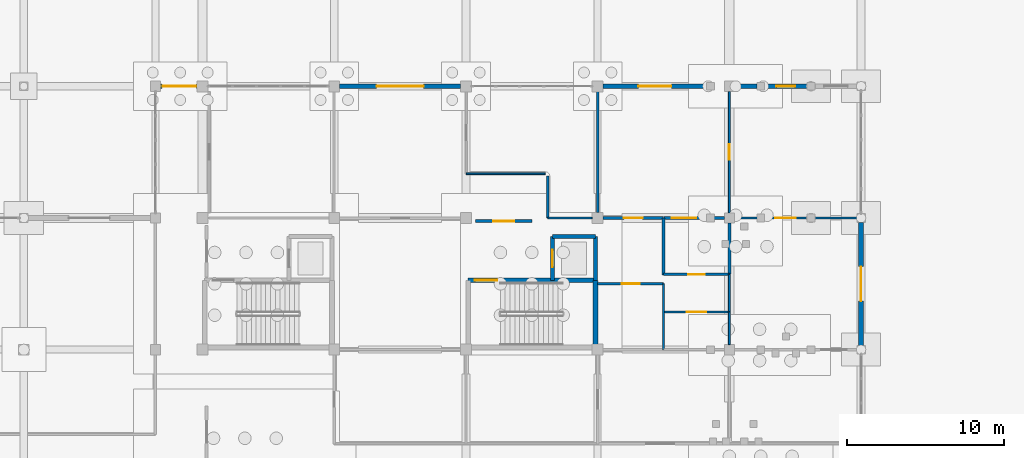
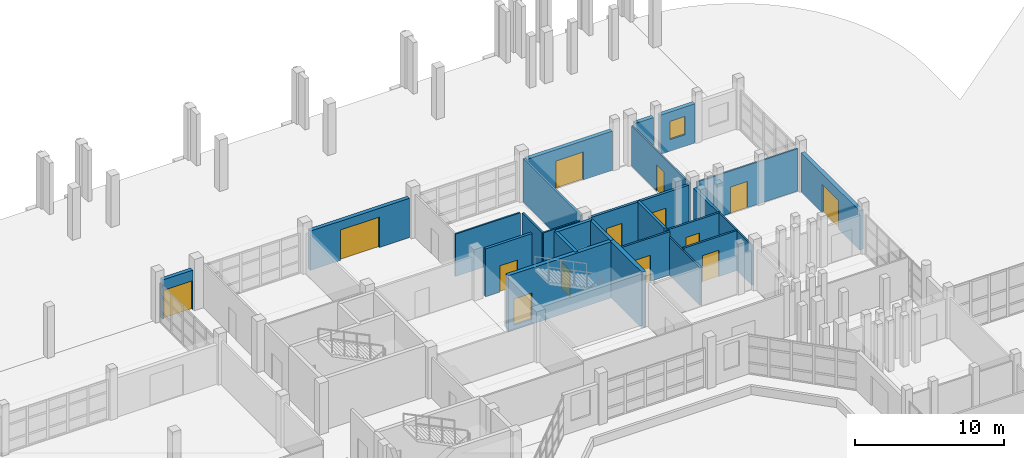
# One storey, part 64 of 88: 28 walls, 14 doors, 1 window, 15 openings.
"""IFC4 building model written with IfcOpenShell, lengths in metres."""

from ifc_helpers import new_model, si_unit, direction, frame, frame_2d, origin, place, context, subcontext, project, spatial, rectangle, extrude, material, layer, layer_set, type_object, element, fill, save


model = new_model("IFC4")

# Units and contexts
model_context = context("Model", 3, precision=1e-05, world=origin(), true_north=direction((0.0, 1.0)))
body_context = subcontext(model_context, "Body", "Model", "MODEL_VIEW")
ifc_project = project(units=[si_unit("LENGTHUNIT", "METRE"), si_unit("AREAUNIT", "SQUARE_METRE"), si_unit("VOLUMEUNIT", "CUBIC_METRE"), si_unit("PLANEANGLEUNIT", "RADIAN"), si_unit("MASSUNIT", "GRAM", prefix="KILO")], contexts=[model_context])

# Site, building, storey
site_placement = place(None, origin())
site = spatial("IfcSite", under=ifc_project, at=site_placement, CompositionType="ELEMENT")
building_placement = place(site_placement, origin())
building = spatial("IfcBuilding", under=site, at=building_placement, Name="Vanh Quang Courtyard School", CompositionType="ELEMENT")
storey_placement = place(building_placement, origin())
storey = spatial("IfcBuildingStorey", under=building, at=storey_placement, Name="L00", CompositionType="ELEMENT", Elevation=0.0)

# Wall, opening, door
ifc_material_1 = material(Name="Concrete C30/37", Category="concrete")
ifc_layer_1 = layer(ifc_material_1, 0.199951171875)
ifc_layer_set_1 = layer_set([ifc_layer_1], Name="Concrete C30/37")
wall_type_1 = type_object("IfcWallType", Name="W-COMP-200", PredefinedType="PARTITIONING", material=ifc_layer_set_1)
wall_1_placement = place(storey_placement, frame((98.39990234375, 88.0, 0.0), z_axis=(0.0, 0.0, 1.0), x_axis=(-1.0, 0.0, 0.0)))
wall_1 = element("IfcWall", 1, at=wall_1_placement, inside=storey, type_object=wall_type_1, Name="Wall W-COMP1 (L00)", PredefinedType="PARTITIONING", context=body_context, shape_type="SweptSolid", body=[
    extrude(rectangle(XDim=3.599853515625, YDim=0.199951171875, at=frame_2d((1.7998046875, 0.0))), origin(), (0.0, 0.0, 1.0), 3.919921875),
])
opening_1_placement = place(wall_1_placement, frame((1.125, 0.0, 0.0)))
opening_1 = element("IfcOpeningElement", 2, at=opening_1_placement, cuts=wall_1, Name="Opening L00-DLB2", PredefinedType="OPENING", context=body_context, shape_type="SweptSolid", body=[
    extrude(rectangle(XDim=1.35009765625, YDim=2.14990234375, at=frame_2d((0.675048828125, 1.074951171875))), frame((0.0, 0.10986328125, 0.0), z_axis=(0.0, -1.0, 0.0), x_axis=(1.0, 0.0, 0.0)), (0.0, 0.0, 1.0), 0.219970703125),
])
ifc_material_2 = material(Name="Painted galvanised steel fire door", Category="steel")
door_type_1 = type_object("IfcDoorType", Name="IDR-ST-1350x2150", OperationType="NOTDEFINED", PredefinedType="DOOR", material=ifc_material_2)
door_1_placement = place(opening_1_placement, origin())
door_1 = element("IfcDoor", 3, at=door_1_placement, inside=storey, type_object=door_type_1, Name="Door L00-DLB2 (L00)", OperationType="SINGLE_SWING_RIGHT", OverallHeight=2.14990234375, OverallWidth=1.35009765625, PredefinedType="DOOR", context=body_context, shape_type="SweptSolid", body=[
    extrude(rectangle(XDim=1.35009765625, YDim=2.14990234375, at=frame_2d((0.675048828125, 1.074951171875))), frame((0.0, 0.02490234375, 0.0), z_axis=(0.0, -1.0, 0.0), x_axis=(1.0, 0.0, 0.0)), (0.0, 0.0, 1.0), 0.050048828125),
])
fill(opening_1, door_1)

wall_2_placement = place(storey_placement, frame((102.947998046875, 88.199951171875, 0.0), z_axis=(0.0, 0.0, 1.0), x_axis=(1.0, 0.0, 0.0)))
wall_2 = element("IfcWall", 4, at=wall_2_placement, inside=storey, type_object=wall_type_1, Name="Wall W-COMP1 (L00)", PredefinedType="PARTITIONING", context=body_context, shape_type="SweptSolid", body=[
    extrude(rectangle(XDim=3.85205078125, YDim=0.199951171875, at=frame_2d((1.926025390625, 0.0))), origin(), (0.0, 0.0, 1.0), 3.469970703125),
])
opening_2_placement = place(wall_2_placement, frame((1.325927734375, 0.0, 0.0)))
opening_2 = element("IfcOpeningElement", 5, at=opening_2_placement, cuts=wall_2, Name="Opening L00-D004", PredefinedType="OPENING", context=body_context, shape_type="SweptSolid", body=[
    extrude(rectangle(XDim=1.199951171875, YDim=2.14990234375, at=frame_2d((0.60009765625, 1.074951171875))), frame((0.0, 0.10986328125, 0.0), z_axis=(0.0, -1.0, 0.0), x_axis=(1.0, 0.0, 0.0)), (0.0, 0.0, 1.0), 0.219970703125),
])
door_type_2 = type_object("IfcDoorType", Name="IDR-FD-1200x2150", OperationType="NOTDEFINED", PredefinedType="DOOR", material=ifc_material_2)
door_2_placement = place(opening_2_placement, origin())
door_2 = element("IfcDoor", 6, at=door_2_placement, inside=storey, type_object=door_type_2, Name="Door L00-D004 (L00)", OperationType="SINGLE_SWING_LEFT", OverallHeight=2.14990234375, OverallWidth=1.199951171875, PredefinedType="DOOR", context=body_context, shape_type="SweptSolid", body=[
    extrude(rectangle(XDim=1.199951171875, YDim=2.14990234375, at=frame_2d((0.60009765625, 1.074951171875))), frame((0.0, 0.02490234375, 0.0), z_axis=(0.0, -1.0, 0.0), x_axis=(1.0, 0.0, 0.0)), (0.0, 0.0, 1.0), 0.050048828125),
])
fill(opening_2, door_2)

# Wall
wall_3_placement = place(storey_placement, frame((106.800048828125, 88.199951171875, 0.0), z_axis=(0.0, 0.0, 1.0), x_axis=(0.0, -1.0, 0.0)))
element("IfcWall", 7, at=wall_3_placement, inside=storey, type_object=wall_type_1, Name="Wall W-COMP1 (L00)", PredefinedType="PARTITIONING", context=body_context, shape_type="SweptSolid", body=[
    extrude(rectangle(XDim=3.646240234375, YDim=0.199951171875, at=frame_2d((1.8232421875, 0.0))), origin(), (0.0, 0.0, 1.0), 3.469970703125),
])

# Wall, opening, door
wall_4_placement = place(storey_placement, frame((106.820068359375, 88.199951171875, 0.0), z_axis=(0.0, 0.0, 1.0), x_axis=(1.0, 0.0, 0.0)))
wall_4 = element("IfcWall", 8, at=wall_4_placement, inside=storey, type_object=wall_type_1, Name="Wall W-COMP1 (L00)", PredefinedType="PARTITIONING", context=body_context, shape_type="SweptSolid", body=[
    extrude(rectangle(XDim=3.85693359375, YDim=0.199951171875, at=frame_2d((1.928466796875, 0.0))), origin(), (0.0, 0.0, 1.0), 3.469970703125),
])
opening_3_placement = place(wall_4_placement, frame((0.50341796875, 0.0, 0.0)))
opening_3 = element("IfcOpeningElement", 9, at=opening_3_placement, cuts=wall_4, Name="Opening L00-D005", PredefinedType="OPENING", context=body_context, shape_type="SweptSolid", body=[
    extrude(rectangle(XDim=1.550048828125, YDim=2.199951171875, at=frame_2d((0.77490234375, 1.10009765625))), frame((0.0, 0.10986328125, 0.0), z_axis=(0.0, -1.0, 0.0), x_axis=(1.0, 0.0, 0.0)), (0.0, 0.0, 1.0), 0.219970703125),
])
door_type_3 = type_object("IfcDoorType", Name="IDR-KIT-1550x2200", OperationType="NOTDEFINED", PredefinedType="DOOR", material=ifc_material_2)
door_3_placement = place(opening_3_placement, origin())
door_3 = element("IfcDoor", 10, at=door_3_placement, inside=storey, type_object=door_type_3, Name="Door L00-D005 (L00)", OperationType="DOUBLE_DOOR_SINGLE_SWING", OverallHeight=2.199951171875, OverallWidth=1.550048828125, PredefinedType="DOOR", context=body_context, shape_type="SweptSolid", body=[
    extrude(rectangle(XDim=1.550048828125, YDim=2.199951171875, at=frame_2d((0.77490234375, 1.10009765625))), frame((0.0, 0.02490234375, 0.0), z_axis=(0.0, -1.0, 0.0), x_axis=(1.0, 0.0, 0.0)), (0.0, 0.0, 1.0), 0.050048828125),
])
fill(opening_3, door_3)

# Walls
wall_5_placement = place(storey_placement, frame((111.0, 87.876953125, 0.0), z_axis=(0.0, 0.0, 1.0), x_axis=(0.0, -1.0, 0.0)))
element("IfcWall", 11, at=wall_5_placement, inside=storey, type_object=wall_type_1, Name="Wall W-COMP1 (L00)", PredefinedType="PARTITIONING", context=body_context, shape_type="SweptSolid", body=[
    extrude(rectangle(XDim=3.2568359375, YDim=0.199951171875, at=frame_2d((1.62841796875, 0.0))), origin(), (0.0, 0.0, 1.0), 3.27001953125),
])
ifc_material_3 = material(Name="Concrete C35/45", Category="concrete")
ifc_layer_2 = layer(ifc_material_3, 0.300048828125)
ifc_layer_set_2 = layer_set([ifc_layer_2], Name="Concrete C35/45")
wall_type_2 = type_object("IfcWallType", Name="W-CORE-300", PredefinedType="SHEAR", material=ifc_layer_set_2)
wall_6_placement = place(storey_placement, frame((102.4599609375, 79.93994140625, -0.39990234375), z_axis=(0.0, 0.0, 1.0), x_axis=(0.0, 1.0, 0.0)))
element("IfcWall", 12, at=wall_6_placement, inside=storey, type_object=wall_type_2, Name="Wall W-CORE1 (L00)", PredefinedType="SHEAR", context=body_context, shape_type="SweptSolid", body=[
    extrude(rectangle(XDim=4.280029296875, YDim=0.300048828125, at=frame_2d((2.14013671875, 0.0))), origin(), (0.0, 0.0, 1.0), 4.599853515625),
])

# Wall, opening, door
wall_7_placement = place(storey_placement, frame((102.4599609375, 84.219970703125, -0.39990234375), z_axis=(0.0, 0.0, 1.0), x_axis=(-1.0, 0.0, 0.0)))
wall_7 = element("IfcWall", 13, at=wall_7_placement, inside=storey, type_object=wall_type_2, Name="Wall W-CORE1 (L00)", PredefinedType="SHEAR", context=body_context, shape_type="SweptSolid", body=[
    extrude(rectangle(XDim=8.119873046875, YDim=0.300048828125, at=frame_2d((4.06005859375, 0.0))), origin(), (0.0, 0.0, 1.0), 4.599853515625),
])
opening_4_placement = place(wall_7_placement, frame((6.27001953125, 0.0, 0.39990234375)))
opening_4 = element("IfcOpeningElement", 14, at=opening_4_placement, cuts=wall_7, Name="Opening L00-DS2", PredefinedType="OPENING", context=body_context, shape_type="SweptSolid", body=[
    extrude(rectangle(XDim=1.419921875, YDim=2.14990234375, at=frame_2d((0.7099609375, 1.074951171875))), frame((0.0, 0.16015625, 0.0), z_axis=(0.0, -1.0, 0.0), x_axis=(1.0, 0.0, 0.0)), (0.0, 0.0, 1.0), 0.320068359375),
])
door_type_4 = type_object("IfcDoorType", Name="IDR-ST-1420x2150", OperationType="NOTDEFINED", PredefinedType="DOOR", material=ifc_material_2)
door_4_placement = place(opening_4_placement, origin())
door_4 = element("IfcDoor", 15, at=door_4_placement, inside=storey, type_object=door_type_4, Name="Door L00-DS2 (L00)", OperationType="SINGLE_SWING_LEFT", OverallHeight=2.14990234375, OverallWidth=1.419921875, PredefinedType="DOOR", context=body_context, shape_type="SweptSolid", body=[
    extrude(rectangle(XDim=1.419921875, YDim=2.14990234375, at=frame_2d((0.7099609375, 1.074951171875))), frame((0.0, 0.02490234375, 0.0), z_axis=(0.0, -1.0, 0.0), x_axis=(1.0, 0.0, 0.0)), (0.0, 0.0, 1.0), 0.050048828125),
])
fill(opening_4, door_4)

ifc_layer_3 = layer(ifc_material_3, 0.300048828125)
ifc_layer_set_3 = layer_set([ifc_layer_3], Name="Concrete C35/45")
wall_type_3 = type_object("IfcWallType", Name="W-EXT-300", PredefinedType="SOLIDWALL", material=ifc_layer_set_3)
wall_8_placement = place(storey_placement, frame((74.722900390625, 96.60009765625, 0.0), z_axis=(0.0, 0.0, 1.0), x_axis=(1.0, 0.0, 0.0)))
wall_8 = element("IfcWall", 16, at=wall_8_placement, inside=storey, type_object=wall_type_3, Name="Wall WE-01 (L00)", PredefinedType="SOLIDWALL", context=body_context, shape_type="SweptSolid", body=[
    extrude(rectangle(XDim=2.3291015625, YDim=0.300048828125, at=frame_2d((1.16455078125, 0.0))), origin(), (0.0, 0.0, 1.0), 3.219970703125),
])
opening_5_placement = place(wall_8_placement, frame((0.076904296875, 0.0, 0.0)))
opening_5 = element("IfcOpeningElement", 17, at=opening_5_placement, cuts=wall_8, Name="Opening L00-EXD1", PredefinedType="OPENING", context=body_context, shape_type="SweptSolid", body=[
    extrude(rectangle(XDim=2.199951171875, YDim=2.35009765625, at=frame_2d((1.10009765625, 1.175048828125))), frame((0.0, 0.16015625, 0.0), z_axis=(0.0, -1.0, 0.0), x_axis=(1.0, 0.0, 0.0)), (0.0, 0.0, 1.0), 0.320068359375),
])
ifc_material_4 = material(Name="Thermally broken aluminium and laminated safety glass", Category="aluminium")
door_type_5 = type_object("IfcDoorType", Name="EDR-TYP-12", OperationType="NOTDEFINED", PredefinedType="DOOR", material=ifc_material_4)
door_5_placement = place(opening_5_placement, origin())
door_5 = element("IfcDoor", 18, at=door_5_placement, inside=storey, type_object=door_type_5, Name="Door L00-EXD1 (L00)", OperationType="SINGLE_SWING_LEFT", OverallHeight=2.35009765625, OverallWidth=2.199951171875, PredefinedType="DOOR", context=body_context, shape_type="SweptSolid", body=[
    extrude(rectangle(XDim=2.199951171875, YDim=2.35009765625, at=frame_2d((1.10009765625, 1.175048828125))), frame((0.0, 0.02490234375, 0.0), z_axis=(0.0, -1.0, 0.0), x_axis=(1.0, 0.0, 0.0)), (0.0, 0.0, 1.0), 0.050048828125),
])
fill(opening_5, door_5)

wall_9_placement = place(storey_placement, frame((86.14794921875, 96.60009765625, 0.0), z_axis=(0.0, 0.0, 1.0), x_axis=(1.0, 0.0, 0.0)))
wall_9 = element("IfcWall", 19, at=wall_9_placement, inside=storey, type_object=wall_type_3, Name="Wall WE-01 (L00)", PredefinedType="SOLIDWALL", context=body_context, shape_type="SweptSolid", body=[
    extrude(rectangle(XDim=7.7041015625, YDim=0.300048828125, at=frame_2d((3.85205078125, 0.0))), origin(), (0.0, 0.0, 1.0), 3.219970703125),
])
opening_6_placement = place(wall_9_placement, frame((2.35205078125, 0.0, 0.0)))
opening_6 = element("IfcOpeningElement", 20, at=opening_6_placement, cuts=wall_9, Name="Opening L00-GT02", PredefinedType="OPENING", context=body_context, shape_type="SweptSolid", body=[
    extrude(rectangle(XDim=3.0, YDim=2.5, at=frame_2d((1.5, 1.25))), frame((0.0, 0.16015625, 0.0), z_axis=(0.0, -1.0, 0.0), x_axis=(1.0, 0.0, 0.0)), (0.0, 0.0, 1.0), 0.320068359375),
])
door_type_6 = type_object("IfcDoorType", Name="EDR-TYP-19", OperationType="NOTDEFINED", PredefinedType="GATE", material=ifc_material_4)
door_6_placement = place(opening_6_placement, origin())
door_6 = element("IfcDoor", 21, at=door_6_placement, inside=storey, type_object=door_type_6, Name="Door L00-GT02 (L00)", OperationType="DOUBLE_DOOR_SINGLE_SWING", OverallHeight=2.5, OverallWidth=3.0, PredefinedType="GATE", context=body_context, shape_type="SweptSolid", body=[
    extrude(rectangle(XDim=3.0, YDim=2.5, at=frame_2d((1.5, 1.25))), frame((0.0, 0.02490234375, 0.0), z_axis=(0.0, -1.0, 0.0), x_axis=(1.0, 0.0, 0.0)), (0.0, 0.0, 1.0), 0.050048828125),
])
fill(opening_6, door_6)

wall_10_placement = place(storey_placement, frame((102.947998046875, 96.60009765625, 0.0), z_axis=(0.0, 0.0, 1.0), x_axis=(1.0, 0.0, 0.0)))
wall_10 = element("IfcWall", 22, at=wall_10_placement, inside=storey, type_object=wall_type_3, Name="Wall WE-01 (L00)", PredefinedType="SOLIDWALL", context=body_context, shape_type="SweptSolid", body=[
    extrude(rectangle(XDim=6.60400390625, YDim=0.300048828125, at=frame_2d((3.302001953125, 0.0))), origin(), (0.0, 0.0, 1.0), 3.219970703125),
])
opening_7_placement = place(wall_10_placement, frame((2.251953125, 0.0, 0.0)))
opening_7 = element("IfcOpeningElement", 23, at=opening_7_placement, cuts=wall_10, Name="Opening L00-EX20", PredefinedType="OPENING", context=body_context, shape_type="SweptSolid", body=[
    extrude(rectangle(XDim=2.10009765625, YDim=2.300048828125, at=frame_2d((1.050048828125, 1.14990234375))), frame((0.0, 0.16015625, 0.0), z_axis=(0.0, -1.0, 0.0), x_axis=(1.0, 0.0, 0.0)), (0.0, 0.0, 1.0), 0.320068359375),
])
door_type_7 = type_object("IfcDoorType", Name="EDR-TYP-11", OperationType="NOTDEFINED", PredefinedType="DOOR", material=ifc_material_4)
door_7_placement = place(opening_7_placement, origin())
door_7 = element("IfcDoor", 24, at=door_7_placement, inside=storey, type_object=door_type_7, Name="Door L00-EX20 (L00)", OperationType="DOUBLE_DOOR_SINGLE_SWING", OverallHeight=2.300048828125, OverallWidth=2.10009765625, PredefinedType="DOOR", context=body_context, shape_type="SweptSolid", body=[
    extrude(rectangle(XDim=2.10009765625, YDim=2.300048828125, at=frame_2d((1.050048828125, 1.14990234375))), frame((0.0, 0.02490234375, 0.0), z_axis=(0.0, -1.0, 0.0), x_axis=(1.0, 0.0, 0.0)), (0.0, 0.0, 1.0), 0.050048828125),
])
fill(opening_7, door_7)

# Wall
wall_11_placement = place(storey_placement, frame((111.322998046875, 96.60009765625, 0.0), z_axis=(0.0, 0.0, 1.0), x_axis=(1.0, 0.0, 0.0)))
element("IfcWall", 25, at=wall_11_placement, inside=storey, type_object=wall_type_3, Name="Wall WE-01 (L00)", PredefinedType="SOLIDWALL", context=body_context, shape_type="SweptSolid", body=[
    extrude(rectangle(XDim=1.428955078125, YDim=0.300048828125, at=frame_2d((0.71435546875, 0.0))), origin(), (0.0, 0.0, 1.0), 3.219970703125),
])

# Wall, opening, window
wall_12_placement = place(storey_placement, frame((113.248046875, 96.60009765625, 0.0), z_axis=(0.0, 0.0, 1.0), x_axis=(1.0, 0.0, 0.0)))
wall_12 = element("IfcWall", 26, at=wall_12_placement, inside=storey, type_object=wall_type_3, Name="Wall WE-01 (L00)", PredefinedType="SOLIDWALL", context=body_context, shape_type="SweptSolid", body=[
    extrude(rectangle(XDim=2.703857421875, YDim=0.300048828125, at=frame_2d((1.35205078125, 0.0))), origin(), (0.0, 0.0, 1.0), 3.219970703125),
])
opening_8_placement = place(wall_12_placement, frame((0.751953125, 0.0, 0.949951171875)))
opening_8 = element("IfcOpeningElement", 27, at=opening_8_placement, cuts=wall_12, Name="Opening WN-10", PredefinedType="OPENING", context=body_context, shape_type="SweptSolid", body=[
    extrude(rectangle(XDim=1.199951171875, YDim=1.5, at=frame_2d((0.60009765625, 0.75))), frame((0.0, 0.16015625, 0.0), z_axis=(0.0, -1.0, 0.0), x_axis=(1.0, 0.0, 0.0)), (0.0, 0.0, 1.0), 0.320068359375),
])
ifc_material_5 = material(Name="Anodised aluminium and low-E double glazing", Category="aluminium")
window_type = type_object("IfcWindowType", Name="WIN-TYP-10", PartitioningType="SINGLE_PANEL", PredefinedType="WINDOW", material=ifc_material_5)
window_placement = place(opening_8_placement, origin())
window = element("IfcWindow", 28, at=window_placement, inside=storey, type_object=window_type, Name="Window WN-10 (L00)", OverallHeight=1.5, OverallWidth=1.199951171875, PartitioningType="SINGLE_PANEL", PredefinedType="WINDOW", context=body_context, shape_type="SweptSolid", body=[
    extrude(rectangle(XDim=1.199951171875, YDim=1.5, at=frame_2d((0.60009765625, 0.75))), frame((0.0, 0.030029296875, 0.0), z_axis=(0.0, -1.0, 0.0), x_axis=(1.0, 0.0, 0.0)), (0.0, 0.0, 1.0), 0.06005859375),
])
fill(opening_8, window)

# Wall, opening, door
wall_13_placement = place(storey_placement, frame((119.39990234375, 87.927001953125, 0.0), z_axis=(0.0, 0.0, 1.0), x_axis=(0.0, -1.0, 0.0)))
wall_13 = element("IfcWall", 29, at=wall_13_placement, inside=storey, type_object=wall_type_3, Name="Wall WE-01 (L00)", PredefinedType="SOLIDWALL", context=body_context, shape_type="SweptSolid", body=[
    extrude(rectangle(XDim=7.85400390625, YDim=0.300048828125, at=frame_2d((3.927001953125, 0.0))), origin(), (0.0, 0.0, 1.0), 3.219970703125),
])
opening_9_placement = place(wall_13_placement, frame((2.826904296875, 0.0, 0.0)))
opening_9 = element("IfcOpeningElement", 30, at=opening_9_placement, cuts=wall_13, Name="Opening L00-EX21", PredefinedType="OPENING", context=body_context, shape_type="SweptSolid", body=[
    extrude(rectangle(XDim=2.199951171875, YDim=2.35009765625, at=frame_2d((1.10009765625, 1.175048828125))), frame((0.0, 0.16015625, 0.0), z_axis=(0.0, -1.0, 0.0), x_axis=(1.0, 0.0, 0.0)), (0.0, 0.0, 1.0), 0.320068359375),
])
door_8_placement = place(opening_9_placement, origin())
door_8 = element("IfcDoor", 31, at=door_8_placement, inside=storey, type_object=door_type_5, Name="Door L00-EX21 (L00)", OperationType="DOUBLE_DOOR_SINGLE_SWING", OverallHeight=2.35009765625, OverallWidth=2.199951171875, PredefinedType="DOOR", context=body_context, shape_type="SweptSolid", body=[
    extrude(rectangle(XDim=2.199951171875, YDim=2.35009765625, at=frame_2d((1.10009765625, 1.175048828125))), frame((0.0, 0.02490234375, 0.0), z_axis=(0.0, -1.0, 0.0), x_axis=(1.0, 0.0, 0.0)), (0.0, 0.0, 1.0), 0.050048828125),
])
fill(opening_9, door_8)

# Walls
ifc_material_6 = material(Name="Acoustic gypsum stud partition", Category="gypsum")
ifc_layer_4 = layer(ifc_material_6, 0.1201171875)
ifc_layer_set_4 = layer_set([ifc_layer_4], Name="Acoustic gypsum stud partition")
wall_type_4 = type_object("IfcWallType", Name="W-PART-120", PredefinedType="PARTITIONING", material=ifc_layer_set_4)
wall_14_placement = place(storey_placement, frame((106.800048828125, 84.0, 0.0), z_axis=(0.0, 0.0, 1.0), x_axis=(0.0, -1.0, 0.0)))
element("IfcWall", 32, at=wall_14_placement, inside=storey, type_object=wall_type_4, Name="Wall W-PRT2 (L00)", PredefinedType="PARTITIONING", context=body_context, shape_type="SweptSolid", body=[
    extrude(rectangle(XDim=4.199951171875, YDim=0.1201171875, at=frame_2d((2.10009765625, 0.0))), origin(), (0.0, 0.0, 1.0), 3.1201171875),
])
wall_15_placement = place(storey_placement, frame((111.0, 82.199951171875, 0.0), z_axis=(0.0, 0.0, 1.0), x_axis=(0.0, -1.0, 0.0)))
element("IfcWall", 33, at=wall_15_placement, inside=storey, type_object=wall_type_4, Name="Wall W-PRT2 (L00)", PredefinedType="PARTITIONING", context=body_context, shape_type="SweptSolid", body=[
    extrude(rectangle(XDim=2.076904296875, YDim=0.1201171875, at=frame_2d((1.03857421875, 0.0))), origin(), (0.0, 0.0, 1.0), 3.27001953125),
])
wall_16_placement = place(storey_placement, frame((111.0, 84.60009765625, 0.0), z_axis=(0.0, 0.0, 1.0), x_axis=(0.0, -1.0, 0.0)))
element("IfcWall", 34, at=wall_16_placement, inside=storey, type_object=wall_type_4, Name="Wall W-PRT2 (L00)", PredefinedType="PARTITIONING", context=body_context, shape_type="SweptSolid", body=[
    extrude(rectangle(XDim=2.380126953125, YDim=0.1201171875, at=frame_2d((1.18994140625, 0.0))), origin(), (0.0, 0.0, 1.0), 3.27001953125),
])
wall_17_placement = place(storey_placement, frame((102.251953125, 88.199951171875, 0.0), z_axis=(0.0, 0.0, 1.0), x_axis=(-1.0, 0.0, 0.0)))
element("IfcWall", 35, at=wall_17_placement, inside=storey, type_object=wall_type_4, Name="Wall W-PRT2 (L00)", PredefinedType="PARTITIONING", context=body_context, shape_type="SweptSolid", body=[
    extrude(rectangle(XDim=2.83203125, YDim=0.1201171875, at=frame_2d((1.416015625, 0.0))), origin(), (0.0, 0.0, 1.0), 3.469970703125),
])
wall_18_placement = place(storey_placement, frame((99.248779296875, 91.02001953125, 0.0), z_axis=(0.0, 0.0, 1.0), x_axis=(-1.0, 0.0, 0.0)))
element("IfcWall", 36, at=wall_18_placement, inside=storey, type_object=wall_type_4, Name="Wall W-PRT2 (L00)", PredefinedType="PARTITIONING", context=body_context, shape_type="SweptSolid", body=[
    extrude(rectangle(XDim=5.02880859375, YDim=0.1201171875, at=frame_2d((2.514404296875, 0.0))), origin(), (0.0, 0.0, 1.0), 3.469970703125),
])

# Wall, opening, door
wall_19_placement = place(storey_placement, frame((111.0, 96.277099609375, 0.0), z_axis=(0.0, 0.0, 1.0), x_axis=(0.0, -1.0, 0.0)))
wall_19 = element("IfcWall", 37, at=wall_19_placement, inside=storey, type_object=wall_type_4, Name="Wall W-PRT2 (L00)", PredefinedType="PARTITIONING", context=body_context, shape_type="SweptSolid", body=[
    extrude(rectangle(XDim=7.754150390625, YDim=0.1201171875, at=frame_2d((3.876953125, 0.0))), origin(), (0.0, 0.0, 1.0), 3.27001953125),
])
opening_10_placement = place(wall_19_placement, frame((3.376953125, 0.0, 0.0)))
opening_10 = element("IfcOpeningElement", 38, at=opening_10_placement, cuts=wall_19, Name="Opening L00-D038", PredefinedType="OPENING", context=body_context, shape_type="SweptSolid", body=[
    extrude(rectangle(XDim=1.0, YDim=2.10009765625, at=frame_2d((0.5, 1.050048828125))), frame((0.0, 0.070068359375, 0.0), z_axis=(0.0, -1.0, 0.0), x_axis=(1.0, 0.0, 0.0)), (0.0, 0.0, 1.0), 0.14013671875),
])
ifc_material_7 = material(Name="Solid-core hardwood acoustic door", Category="wood")
door_type_8 = type_object("IfcDoorType", Name="IDR-CLS-1000x2100", OperationType="NOTDEFINED", PredefinedType="DOOR", material=ifc_material_7)
door_9_placement = place(opening_10_placement, origin())
door_9 = element("IfcDoor", 39, at=door_9_placement, inside=storey, type_object=door_type_8, Name="Door L00-D038 (L00)", OperationType="SINGLE_SWING_LEFT", OverallHeight=2.10009765625, OverallWidth=1.0, PredefinedType="DOOR", context=body_context, shape_type="SweptSolid", body=[
    extrude(rectangle(XDim=1.0, YDim=2.10009765625, at=frame_2d((0.5, 1.050048828125))), frame((0.0, 0.02490234375, 0.0), z_axis=(0.0, -1.0, 0.0), x_axis=(1.0, 0.0, 0.0)), (0.0, 0.0, 1.0), 0.050048828125),
])
fill(opening_10, door_9)

wall_20_placement = place(storey_placement, frame((111.322998046875, 88.199951171875, 0.0), z_axis=(0.0, 0.0, 1.0), x_axis=(1.0, 0.0, 0.0)))
wall_20 = element("IfcWall", 40, at=wall_20_placement, inside=storey, type_object=wall_type_4, Name="Wall W-PRT2 (L00)", PredefinedType="PARTITIONING", context=body_context, shape_type="SweptSolid", body=[
    extrude(rectangle(XDim=7.803955078125, YDim=0.1201171875, at=frame_2d((3.90185546875, 0.0))), origin(), (0.0, 0.0, 1.0), 3.469970703125),
])
opening_11_placement = place(wall_20_placement, frame((2.60205078125, 0.0, 0.0)))
opening_11 = element("IfcOpeningElement", 41, at=opening_11_placement, cuts=wall_20, Name="Opening L00-D047", PredefinedType="OPENING", context=body_context, shape_type="SweptSolid", body=[
    extrude(rectangle(XDim=1.300048828125, YDim=2.14990234375, at=frame_2d((0.64990234375, 1.074951171875))), frame((0.0, 0.070068359375, 0.0), z_axis=(0.0, -1.0, 0.0), x_axis=(1.0, 0.0, 0.0)), (0.0, 0.0, 1.0), 0.14013671875),
])
door_type_9 = type_object("IfcDoorType", Name="IDR-STU-1300x2150", OperationType="NOTDEFINED", PredefinedType="DOOR", material=ifc_material_7)
door_10_placement = place(opening_11_placement, origin())
door_10 = element("IfcDoor", 42, at=door_10_placement, inside=storey, type_object=door_type_9, Name="Door L00-D047 (L00)", OperationType="SINGLE_SWING_RIGHT", OverallHeight=2.14990234375, OverallWidth=1.300048828125, PredefinedType="DOOR", context=body_context, shape_type="SweptSolid", body=[
    extrude(rectangle(XDim=1.300048828125, YDim=2.14990234375, at=frame_2d((0.64990234375, 1.074951171875))), frame((0.0, 0.02490234375, 0.0), z_axis=(0.0, -1.0, 0.0), x_axis=(1.0, 0.0, 0.0)), (0.0, 0.0, 1.0), 0.050048828125),
])
fill(opening_11, door_10)

ifc_material_8 = material(Name="Autoclaved aerated masonry blockwork", Category="masonry")
ifc_layer_5 = layer(ifc_material_8, 0.14990234375)
ifc_layer_set_5 = layer_set([ifc_layer_5], Name="Autoclaved aerated masonry blockwork")
wall_type_5 = type_object("IfcWallType", Name="W-PART-150", PredefinedType="PARTITIONING", material=ifc_layer_set_5)
wall_21_placement = place(storey_placement, frame((102.60009765625, 84.0, 0.0), z_axis=(0.0, 0.0, 1.0), x_axis=(1.0, 0.0, 0.0)))
wall_21 = element("IfcWall", 43, at=wall_21_placement, inside=storey, type_object=wall_type_5, Name="Wall W-PRT1 (L00)", PredefinedType="PARTITIONING", context=body_context, shape_type="SweptSolid", body=[
    extrude(rectangle(XDim=4.199951171875, YDim=0.14990234375, at=frame_2d((2.10009765625, 0.0))), origin(), (0.0, 0.0, 1.0), 3.56005859375),
])
opening_12_placement = place(wall_21_placement, frame((1.52490234375, 0.0, 0.0)))
opening_12 = element("IfcOpeningElement", 44, at=opening_12_placement, cuts=wall_21, Name="Opening L00-D001", PredefinedType="OPENING", context=body_context, shape_type="SweptSolid", body=[
    extrude(rectangle(XDim=1.14990234375, YDim=2.14990234375, at=frame_2d((0.574951171875, 1.074951171875))), frame((0.0, 0.0849609375, 0.0), z_axis=(0.0, -1.0, 0.0), x_axis=(1.0, 0.0, 0.0)), (0.0, 0.0, 1.0), 0.169921875),
])
door_type_10 = type_object("IfcDoorType", Name="IDR-LAB-1150x2150", OperationType="NOTDEFINED", PredefinedType="DOOR", material=ifc_material_2)
door_11_placement = place(opening_12_placement, origin())
door_11 = element("IfcDoor", 45, at=door_11_placement, inside=storey, type_object=door_type_10, Name="Door L00-D001 (L00)", OperationType="SINGLE_SWING_RIGHT", OverallHeight=2.14990234375, OverallWidth=1.14990234375, PredefinedType="DOOR", context=body_context, shape_type="SweptSolid", body=[
    extrude(rectangle(XDim=1.14990234375, YDim=2.14990234375, at=frame_2d((0.574951171875, 1.074951171875))), frame((0.0, 0.02490234375, 0.0), z_axis=(0.0, -1.0, 0.0), x_axis=(1.0, 0.0, 0.0)), (0.0, 0.0, 1.0), 0.050048828125),
])
fill(opening_12, door_11)

wall_22_placement = place(storey_placement, frame((106.820068359375, 82.199951171875, 0.0), z_axis=(0.0, 0.0, 1.0), x_axis=(1.0, 0.0, 0.0)))
wall_22 = element("IfcWall", 46, at=wall_22_placement, inside=storey, type_object=wall_type_5, Name="Wall W-PRT1 (L00)", PredefinedType="PARTITIONING", context=body_context, shape_type="SweptSolid", body=[
    extrude(rectangle(XDim=4.179931640625, YDim=0.14990234375, at=frame_2d((2.08984375, 0.0))), origin(), (0.0, 0.0, 1.0), 3.27001953125),
])
opening_13_placement = place(wall_22_placement, frame((1.465087890625, 0.0, 0.0)))
opening_13 = element("IfcOpeningElement", 47, at=opening_13_placement, cuts=wall_22, Name="Opening L00-D002", PredefinedType="OPENING", context=body_context, shape_type="SweptSolid", body=[
    extrude(rectangle(XDim=1.25, YDim=2.14990234375, at=frame_2d((0.625, 1.074951171875))), frame((0.0, 0.0849609375, 0.0), z_axis=(0.0, -1.0, 0.0), x_axis=(1.0, 0.0, 0.0)), (0.0, 0.0, 1.0), 0.169921875),
])
door_type_11 = type_object("IfcDoorType", Name="IDR-LAB-1250x2150", OperationType="NOTDEFINED", PredefinedType="DOOR", material=ifc_material_2)
door_12_placement = place(opening_13_placement, origin())
door_12 = element("IfcDoor", 48, at=door_12_placement, inside=storey, type_object=door_type_11, Name="Door L00-D002 (L00)", OperationType="SINGLE_SWING_LEFT", OverallHeight=2.14990234375, OverallWidth=1.25, PredefinedType="DOOR", context=body_context, shape_type="SweptSolid", body=[
    extrude(rectangle(XDim=1.25, YDim=2.14990234375, at=frame_2d((0.625, 1.074951171875))), frame((0.0, 0.02490234375, 0.0), z_axis=(0.0, -1.0, 0.0), x_axis=(1.0, 0.0, 0.0)), (0.0, 0.0, 1.0), 0.050048828125),
])
fill(opening_13, door_12)

wall_23_placement = place(storey_placement, frame((106.800048828125, 84.60009765625, 0.0), z_axis=(0.0, 0.0, 1.0), x_axis=(1.0, 0.0, 0.0)))
wall_23 = element("IfcWall", 49, at=wall_23_placement, inside=storey, type_object=wall_type_5, Name="Wall W-PRT1 (L00)", PredefinedType="PARTITIONING", context=body_context, shape_type="SweptSolid", body=[
    extrude(rectangle(XDim=4.199951171875, YDim=0.14990234375, at=frame_2d((2.10009765625, 0.0))), origin(), (0.0, 0.0, 1.0), 3.27001953125),
])
opening_14_placement = place(wall_23_placement, frame((1.574951171875, 0.0, 0.0)))
opening_14 = element("IfcOpeningElement", 50, at=opening_14_placement, cuts=wall_23, Name="Opening L00-D003", PredefinedType="OPENING", context=body_context, shape_type="SweptSolid", body=[
    extrude(rectangle(XDim=1.050048828125, YDim=2.14990234375, at=frame_2d((0.52490234375, 1.074951171875))), frame((0.0, 0.0849609375, 0.0), z_axis=(0.0, -1.0, 0.0), x_axis=(1.0, 0.0, 0.0)), (0.0, 0.0, 1.0), 0.169921875),
])
door_type_12 = type_object("IfcDoorType", Name="IDR-FD-1050x2150", OperationType="NOTDEFINED", PredefinedType="DOOR", material=ifc_material_2)
door_13_placement = place(opening_14_placement, origin())
door_13 = element("IfcDoor", 51, at=door_13_placement, inside=storey, type_object=door_type_12, Name="Door L00-D003 (L00)", OperationType="SINGLE_SWING_RIGHT", OverallHeight=2.14990234375, OverallWidth=1.050048828125, PredefinedType="DOOR", context=body_context, shape_type="SweptSolid", body=[
    extrude(rectangle(XDim=1.050048828125, YDim=2.14990234375, at=frame_2d((0.52490234375, 1.074951171875))), frame((0.0, 0.02490234375, 0.0), z_axis=(0.0, -1.0, 0.0), x_axis=(1.0, 0.0, 0.0)), (0.0, 0.0, 1.0), 0.050048828125),
])
fill(opening_14, door_13)

# Walls
wall_24_placement = place(storey_placement, frame((102.60009765625, 96.251953125, 0.0), z_axis=(0.0, 0.0, 1.0), x_axis=(0.0, -1.0, 0.0)))
element("IfcWall", 52, at=wall_24_placement, inside=storey, type_object=wall_type_5, Name="Wall W-PRT1 (L00)", PredefinedType="PARTITIONING", context=body_context, shape_type="SweptSolid", body=[
    extrude(rectangle(XDim=7.703857421875, YDim=0.14990234375, at=frame_2d((3.85205078125, 0.0))), origin(), (0.0, 0.0, 1.0), 3.56005859375),
])
wall_25_placement = place(storey_placement, frame((99.419921875, 88.199951171875, 0.0), z_axis=(0.0, 0.0, 1.0), x_axis=(-0.000274624669, 0.999999962291, 0.0)))
element("IfcWall", 53, at=wall_25_placement, inside=storey, type_object=wall_type_5, Name="Wall W-PRT1 (L00)", PredefinedType="PARTITIONING", context=body_context, shape_type="SweptSolid", body=[
    extrude(rectangle(XDim=2.6669921875, YDim=0.14990234375, at=frame_2d((1.33349609375, 0.0))), origin(), (0.0, 0.0, 1.0), 3.469970703125),
])

# Wall, opening, door
ifc_layer_6 = layer(ifc_material_3, 0.25)
ifc_layer_set_6 = layer_set([ifc_layer_6], Name="Concrete C35/45")
wall_type_6 = type_object("IfcWallType", Name="W-SHFT-250", PredefinedType="SHEAR", material=ifc_layer_set_6)
wall_26_placement = place(storey_placement, frame((99.719970703125, 87.02001953125, -0.39990234375), z_axis=(0.0, 0.0, 1.0), x_axis=(0.0, -1.0, 0.0)))
wall_26 = element("IfcWall", 54, at=wall_26_placement, inside=storey, type_object=wall_type_6, Name="Wall W-SHFT1 (L00)", PredefinedType="SHEAR", context=body_context, shape_type="SweptSolid", body=[
    extrude(rectangle(XDim=2.800048828125, YDim=0.25, at=frame_2d((1.39990234375, 0.0))), origin(), (0.0, 0.0, 1.0), 4.599853515625),
])
opening_15_placement = place(wall_26_placement, frame((0.85009765625, 0.0, 0.39990234375)))
opening_15 = element("IfcOpeningElement", 55, at=opening_15_placement, cuts=wall_26, Name="Opening LD-02-L00", PredefinedType="OPENING", context=body_context, shape_type="SweptSolid", body=[
    extrude(rectangle(XDim=1.10009765625, YDim=2.14990234375, at=frame_2d((0.550048828125, 1.074951171875))), frame((0.0, 0.135009765625, 0.0), z_axis=(0.0, -1.0, 0.0), x_axis=(1.0, 0.0, 0.0)), (0.0, 0.0, 1.0), 0.27001953125),
])
door_type_13 = type_object("IfcDoorType", Name="IDR-LD-1100x2150", OperationType="NOTDEFINED", PredefinedType="DOOR", material=ifc_material_2)
door_14_placement = place(opening_15_placement, origin())
door_14 = element("IfcDoor", 56, at=door_14_placement, inside=storey, type_object=door_type_13, Name="Door LD-02-L00 (L00)", OperationType="DOUBLE_DOOR_SLIDING", OverallHeight=2.14990234375, OverallWidth=1.10009765625, PredefinedType="DOOR", context=body_context, shape_type="SweptSolid", body=[
    extrude(rectangle(XDim=1.10009765625, YDim=2.14990234375, at=frame_2d((0.550048828125, 1.074951171875))), frame((0.0, 0.02490234375, 0.0), z_axis=(0.0, -1.0, 0.0), x_axis=(1.0, 0.0, 0.0)), (0.0, 0.0, 1.0), 0.050048828125),
])
fill(opening_15, door_14)

# Walls
wall_27_placement = place(storey_placement, frame((102.4599609375, 87.02001953125, -0.39990234375), z_axis=(0.0, 0.0, 1.0), x_axis=(-1.0, 0.0, 0.0)))
element("IfcWall", 57, at=wall_27_placement, inside=storey, type_object=wall_type_6, Name="Wall W-SHFT1 (L00)", PredefinedType="SHEAR", context=body_context, shape_type="SweptSolid", body=[
    extrude(rectangle(XDim=2.739990234375, YDim=0.25, at=frame_2d((1.3701171875, 0.0))), origin(), (0.0, 0.0, 1.0), 4.599853515625),
])
wall_28_placement = place(storey_placement, frame((102.4599609375, 84.219970703125, -0.39990234375), z_axis=(0.0, 0.0, 1.0), x_axis=(0.0, 1.0, 0.0)))
element("IfcWall", 58, at=wall_28_placement, inside=storey, type_object=wall_type_6, Name="Wall W-SHFT1 (L00)", PredefinedType="SHEAR", context=body_context, shape_type="SweptSolid", body=[
    extrude(rectangle(XDim=2.800048828125, YDim=0.25, at=frame_2d((1.39990234375, 0.0))), origin(), (0.0, 0.0, 1.0), 4.599853515625),
])

save(model, "model.ifc")
